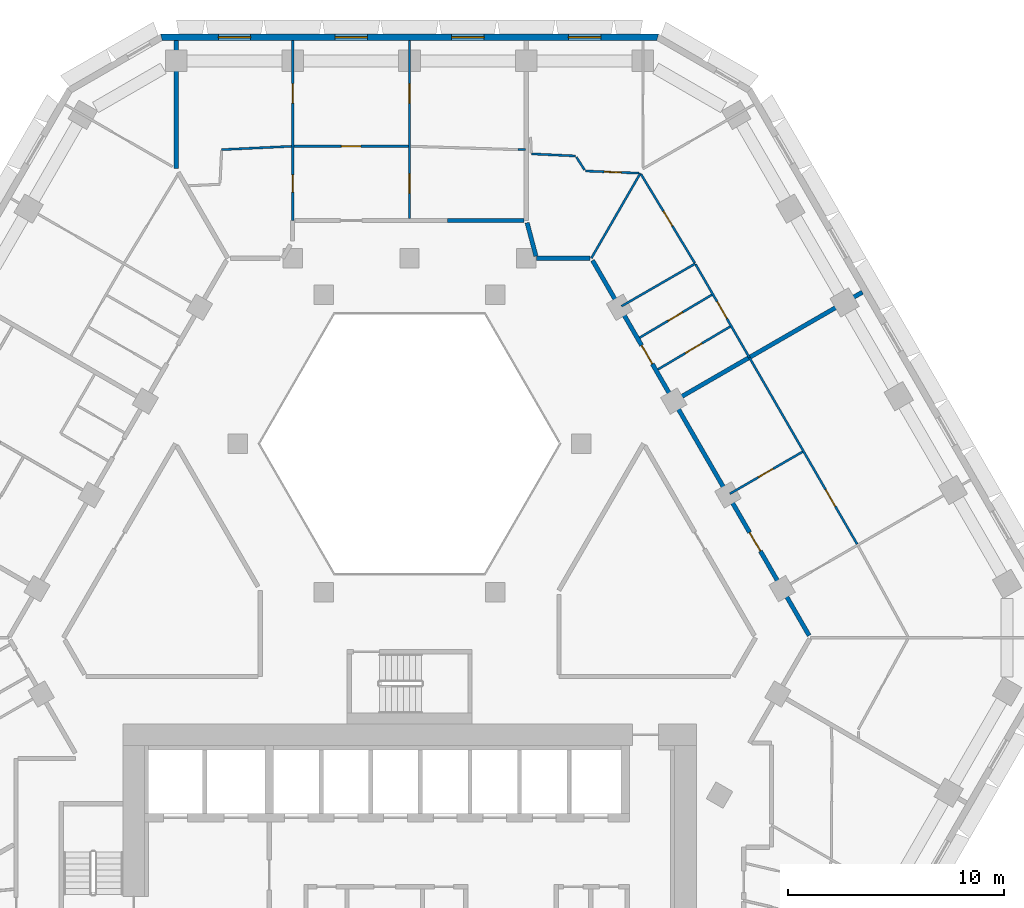
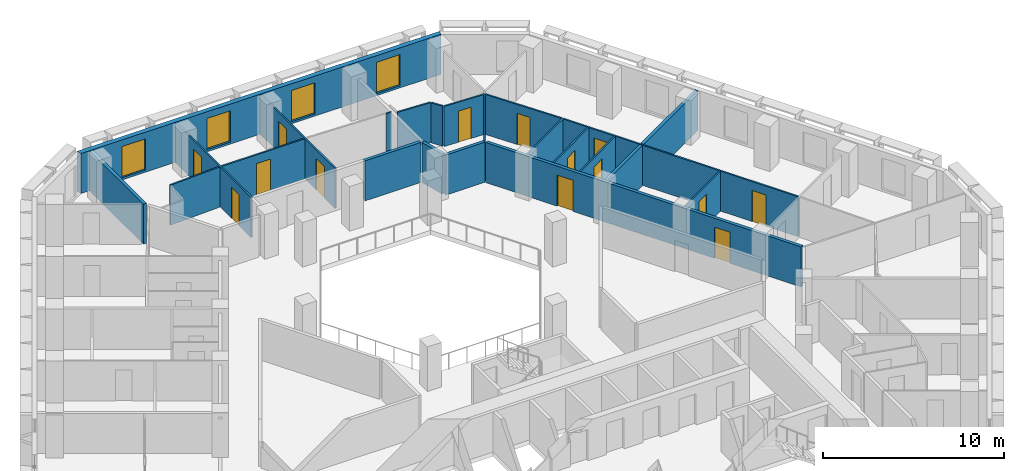
# One storey, part 9 of 16: 23 walls, 14 doors, 4 windows, 18 openings.
"""IFC4 building model written with IfcOpenShell, lengths in metres."""

from ifc_helpers import new_model, si_unit, direction, frame, frame_2d, origin, place, context, subcontext, project, spatial, polyline, rectangle, outline, extrude, material, layer, layer_set, type_object, element, fill, save


model = new_model("IFC4")

# Units and contexts
model_context = context("Model", 3, precision=1e-05, world=origin(), true_north=direction((0.0, 1.0)))
body_context = subcontext(model_context, "Body", "Model", "MODEL_VIEW")
ifc_project = project(units=[si_unit("LENGTHUNIT", "METRE"), si_unit("AREAUNIT", "SQUARE_METRE"), si_unit("VOLUMEUNIT", "CUBIC_METRE"), si_unit("PLANEANGLEUNIT", "RADIAN"), si_unit("MASSUNIT", "GRAM", prefix="KILO")], contexts=[model_context])

# Site, building, storey
site_placement = place(None, origin())
site = spatial("IfcSite", under=ifc_project, at=site_placement, CompositionType="ELEMENT")
building_placement = place(site_placement, origin())
building = spatial("IfcBuilding", under=site, at=building_placement, Name="Beryl Residences", CompositionType="ELEMENT")
storey_placement = place(building_placement, frame((0.0, 0.0, 96.0)))
storey = spatial("IfcBuildingStorey", under=building, at=storey_placement, Name="L29", CompositionType="ELEMENT", Elevation=96.0)

# Wall, openings, windows
ifc_material_1 = material(Name="Composite metal panel with mineral wool insulation")
ifc_layer_1 = layer(ifc_material_1, 0.300048828125)
ifc_layer_set_1 = layer_set([ifc_layer_1], Name="ES1 pale metal composite panel wall 300 mm")
wall_type_1 = type_object("IfcWallType", Name="ES1 pale metal composite panel wall 300 mm", PredefinedType="SOLIDWALL", material=ifc_layer_set_1)
wall_1_placement = place(storey_placement, frame((11.547119140625, 26.85009765625, 0.0), z_axis=(0.0, 0.0, 1.0), x_axis=(-1.0, 0.0, 0.0)))
wall_1 = element("IfcWall", 1, at=wall_1_placement, inside=storey, type_object=wall_type_1, Name="ES1 external wall L29 N", PredefinedType="SOLIDWALL", context=body_context, shape_type="SweptSolid", body=[
    extrude(outline(polyline([(0.0, -0.14990234375), (23.09423828125, -0.14990234375), (23.013916015625, 0.14990234375), (0.080322265625, 0.14990234375), (0.0, -0.14990234375)])), origin(), (0.0, 0.0, 1.0), 2.699951171875),
])
opening_1_placement = place(wall_1_placement, frame((2.677978515625, 0.0, 0.14990234375)))
opening_1 = element("IfcOpeningElement", 2, at=opening_1_placement, cuts=wall_1, Name="Opening W1", PredefinedType="OPENING", context=body_context, shape_type="SweptSolid", body=[
    extrude(rectangle(XDim=1.5, YDim=2.10009765625, at=frame_2d((0.75, 1.050048828125))), frame((0.0, 0.159912109375, 0.0), z_axis=(0.0, -1.0, 0.0), x_axis=(1.0, 0.0, 0.0)), (0.0, 0.0, 1.0), 0.320068359375),
])
opening_2_placement = place(wall_1_placement, frame((8.092041015625, 0.0, 0.14990234375)))
opening_2 = element("IfcOpeningElement", 3, at=opening_2_placement, cuts=wall_1, Name="Opening W1", PredefinedType="OPENING", context=body_context, shape_type="SweptSolid", body=[
    extrude(rectangle(XDim=1.5, YDim=2.10009765625, at=frame_2d((0.75, 1.050048828125))), frame((0.0, 0.159912109375, 0.0), z_axis=(0.0, -1.0, 0.0), x_axis=(1.0, 0.0, 0.0)), (0.0, 0.0, 1.0), 0.320068359375),
])
opening_3_placement = place(wall_1_placement, frame((13.50390625, 0.0, 0.14990234375)))
opening_3 = element("IfcOpeningElement", 4, at=opening_3_placement, cuts=wall_1, Name="Opening W1", PredefinedType="OPENING", context=body_context, shape_type="SweptSolid", body=[
    extrude(rectangle(XDim=1.5, YDim=2.10009765625, at=frame_2d((0.75, 1.050048828125))), frame((0.0, 0.159912109375, 0.0), z_axis=(0.0, -1.0, 0.0), x_axis=(1.0, 0.0, 0.0)), (0.0, 0.0, 1.0), 0.320068359375),
])
opening_4_placement = place(wall_1_placement, frame((18.9169921875, 0.0, 0.14990234375)))
opening_4 = element("IfcOpeningElement", 5, at=opening_4_placement, cuts=wall_1, Name="Opening W1", PredefinedType="OPENING", context=body_context, shape_type="SweptSolid", body=[
    extrude(rectangle(XDim=1.5, YDim=2.10009765625, at=frame_2d((0.75, 1.050048828125))), frame((0.0, 0.159912109375, 0.0), z_axis=(0.0, -1.0, 0.0), x_axis=(1.0, 0.0, 0.0)), (0.0, 0.0, 1.0), 0.320068359375),
])
ifc_material_2 = material(Name="Aluminium and clear glass", Category="aluminium")
window_type = type_object("IfcWindowType", Name="W1 cell window 1500 x 2100 mm", PartitioningType="SINGLE_PANEL", PredefinedType="WINDOW", material=ifc_material_2)
window_1_placement = place(opening_1_placement, origin())
window_1 = element("IfcWindow", 6, at=window_1_placement, inside=storey, type_object=window_type, Name="W1 window L29 N 2", OverallHeight=2.10009765625, OverallWidth=1.5, PartitioningType="SINGLE_PANEL", PredefinedType="WINDOW", context=body_context, shape_type="SweptSolid", body=[
    extrude(rectangle(XDim=1.5, YDim=2.10009765625, at=frame_2d((0.75, 1.050048828125))), frame((0.0, 0.030029296875, 0.0), z_axis=(0.0, -1.0, 0.0), x_axis=(1.0, 0.0, 0.0)), (0.0, 0.0, 1.0), 0.06005859375),
])
fill(opening_1, window_1)
window_2_placement = place(opening_2_placement, origin())
window_2 = element("IfcWindow", 7, at=window_2_placement, inside=storey, type_object=window_type, Name="W1 window L29 N 4", OverallHeight=2.10009765625, OverallWidth=1.5, PartitioningType="SINGLE_PANEL", PredefinedType="WINDOW", context=body_context, shape_type="SweptSolid", body=[
    extrude(rectangle(XDim=1.5, YDim=2.10009765625, at=frame_2d((0.75, 1.050048828125))), frame((0.0, 0.030029296875, 0.0), z_axis=(0.0, -1.0, 0.0), x_axis=(1.0, 0.0, 0.0)), (0.0, 0.0, 1.0), 0.06005859375),
])
fill(opening_2, window_2)
window_3_placement = place(opening_3_placement, origin())
window_3 = element("IfcWindow", 8, at=window_3_placement, inside=storey, type_object=window_type, Name="W1 window L29 N 6", OverallHeight=2.10009765625, OverallWidth=1.5, PartitioningType="SINGLE_PANEL", PredefinedType="WINDOW", context=body_context, shape_type="SweptSolid", body=[
    extrude(rectangle(XDim=1.5, YDim=2.10009765625, at=frame_2d((0.75, 1.050048828125))), frame((0.0, 0.030029296875, 0.0), z_axis=(0.0, -1.0, 0.0), x_axis=(1.0, 0.0, 0.0)), (0.0, 0.0, 1.0), 0.06005859375),
])
fill(opening_3, window_3)
window_4_placement = place(opening_4_placement, origin())
window_4 = element("IfcWindow", 9, at=window_4_placement, inside=storey, type_object=window_type, Name="W1 window L29 N 8", OverallHeight=2.10009765625, OverallWidth=1.5, PartitioningType="SINGLE_PANEL", PredefinedType="WINDOW", context=body_context, shape_type="SweptSolid", body=[
    extrude(rectangle(XDim=1.5, YDim=2.10009765625, at=frame_2d((0.75, 1.050048828125))), frame((0.0, 0.030029296875, 0.0), z_axis=(0.0, -1.0, 0.0), x_axis=(1.0, 0.0, 0.0)), (0.0, 0.0, 1.0), 0.06005859375),
])
fill(opening_4, window_4)

# Wall
ifc_material_3 = material(Name="Gypsum board partition on steel studs", Category="steel")
ifc_layer_2 = layer(ifc_material_3, 0.10009765625)
ifc_layer_set_2 = layer_set([ifc_layer_2], Name="PT1 partition 100 mm gypsum board on steel studs")
wall_type_2 = type_object("IfcWallType", Name="PT1 partition 100 mm gypsum board on steel studs", PredefinedType="PARTITIONING", material=ifc_layer_set_2)
wall_2_placement = place(storey_placement, frame((7.737060546875, 21.291015625, 0.0), z_axis=(0.0, 0.0, 1.0), x_axis=(0.540389876456, -0.841414749944, 0.0)))
element("IfcWall", 10, at=wall_2_placement, inside=storey, type_object=wall_type_2, Name="Wall PT1 L29 001", PredefinedType="PARTITIONING", context=body_context, shape_type="SweptSolid", body=[
    extrude(rectangle(XDim=0.704833984375, YDim=0.10009765625, at=frame_2d((0.3525390625, 0.0))), origin(), (0.0, 0.0, 1.0), 2.699951171875),
])

# Wall, opening, door
wall_3_placement = place(storey_placement, frame((10.738037109375, 20.491943359375, 0.0), z_axis=(0.0, 0.0, 1.0), x_axis=(0.518026330534, -0.85536467128, 0.0)))
wall_3 = element("IfcWall", 11, at=wall_3_placement, inside=storey, type_object=wall_type_2, Name="Wall PT1 L29 002", PredefinedType="PARTITIONING", context=body_context, shape_type="SweptSolid", body=[
    extrude(rectangle(XDim=4.814208984375, YDim=0.10009765625, at=frame_2d((2.4072265625, 0.0))), origin(), (0.0, 0.0, 1.0), 2.699951171875),
])
opening_5_placement = place(wall_3_placement, frame((2.001953125, 0.0, 0.0)))
opening_5 = element("IfcOpeningElement", 12, at=opening_5_placement, cuts=wall_3, Name="Opening D0928", PredefinedType="OPENING", context=body_context, shape_type="SweptSolid", body=[
    extrude(rectangle(XDim=0.800048828125, YDim=2.10009765625, at=frame_2d((0.39990234375, 1.050048828125))), frame((0.0, 0.06005859375, 0.0), z_axis=(0.0, -1.0, 0.0), x_axis=(1.0, 0.0, 0.0)), (0.0, 0.0, 1.0), 0.1201171875),
])
ifc_material_4 = material(Name="Timber door leaf", Category="wood")
door_type_1 = type_object("IfcDoorType", Name="D3 bathroom door 800 x 2100 mm", OperationType="SINGLE_SWING_LEFT", PredefinedType="DOOR", material=ifc_material_4)
door_1_placement = place(opening_5_placement, origin())
door_1 = element("IfcDoor", 13, at=door_1_placement, inside=storey, type_object=door_type_1, Name="Door D0928 L29 001", OperationType="SINGLE_SWING_RIGHT", OverallHeight=2.10009765625, OverallWidth=0.800048828125, PredefinedType="DOOR", context=body_context, shape_type="SweptSolid", body=[
    extrude(rectangle(XDim=0.800048828125, YDim=2.10009765625, at=frame_2d((0.39990234375, 1.050048828125))), frame((0.0, 0.02490234375, 0.0), z_axis=(0.0, -1.0, 0.0), x_axis=(1.0, 0.0, 0.0)), (0.0, 0.0, 1.0), 0.050048828125),
])
fill(opening_5, door_1)

wall_4_placement = place(storey_placement, frame((13.262939453125, 16.322021484375, 0.0), z_axis=(0.0, 0.0, 1.0), x_axis=(0.499946798379, -0.866056117576, 0.0)))
wall_4 = element("IfcWall", 14, at=wall_4_placement, inside=storey, type_object=wall_type_2, Name="Wall PT1 L29 003", PredefinedType="PARTITIONING", context=body_context, shape_type="SweptSolid", body=[
    extrude(rectangle(XDim=4.99267578125, YDim=0.10009765625, at=frame_2d((2.496337890625, 0.0))), origin(), (0.0, 0.0, 1.0), 2.699951171875),
])
opening_6_placement = place(wall_4_placement, frame((2.007080078125, 0.0, 0.0)))
opening_6 = element("IfcOpeningElement", 15, at=opening_6_placement, cuts=wall_4, Name="Opening D0926", PredefinedType="OPENING", context=body_context, shape_type="SweptSolid", body=[
    extrude(rectangle(XDim=0.89990234375, YDim=2.10009765625, at=frame_2d((0.449951171875, 1.050048828125))), frame((0.0, 0.06005859375, 0.0), z_axis=(0.0, -1.0, 0.0), x_axis=(1.0, 0.0, 0.0)), (0.0, 0.0, 1.0), 0.1201171875),
])
ifc_material_5 = material(Name="Timber door leaf", Category="wood")
door_type_2 = type_object("IfcDoorType", Name="D2 room door 900 x 2100 mm", OperationType="SINGLE_SWING_LEFT", PredefinedType="DOOR", material=ifc_material_5)
door_2_placement = place(opening_6_placement, origin())
door_2 = element("IfcDoor", 16, at=door_2_placement, inside=storey, type_object=door_type_2, Name="Door D0926 L29 001", OperationType="SINGLE_SWING_RIGHT", OverallHeight=2.10009765625, OverallWidth=0.89990234375, PredefinedType="DOOR", context=body_context, shape_type="SweptSolid", body=[
    extrude(rectangle(XDim=0.89990234375, YDim=2.10009765625, at=frame_2d((0.449951171875, 1.050048828125))), frame((0.0, 0.02490234375, 0.0), z_axis=(0.0, -1.0, 0.0), x_axis=(1.0, 0.0, 0.0)), (0.0, 0.0, 1.0), 0.050048828125),
])
fill(opening_6, door_2)

wall_5_placement = place(storey_placement, frame((8.15087890625, 20.64697265625, 0.0), z_axis=(0.0, 0.0, 1.0), x_axis=(0.999167241152, -0.040802257405, 0.0)))
wall_5 = element("IfcWall", 17, at=wall_5_placement, inside=storey, type_object=wall_type_2, Name="Wall PT1 L29 015", PredefinedType="PARTITIONING", context=body_context, shape_type="SweptSolid", body=[
    extrude(rectangle(XDim=2.501220703125, YDim=0.10009765625, at=frame_2d((1.25048828125, 0.0))), origin(), (0.0, 0.0, 1.0), 2.699951171875),
])
opening_7_placement = place(wall_5_placement, frame((0.87890625, 0.0, 0.0)))
opening_7 = element("IfcOpeningElement", 18, at=opening_7_placement, cuts=wall_5, Name="Opening D0930", PredefinedType="OPENING", context=body_context, shape_type="SweptSolid", body=[
    extrude(rectangle(XDim=0.800048828125, YDim=2.10009765625, at=frame_2d((0.39990234375, 1.050048828125))), frame((0.0, 0.06005859375, 0.0), z_axis=(0.0, -1.0, 0.0), x_axis=(1.0, 0.0, 0.0)), (0.0, 0.0, 1.0), 0.1201171875),
])
door_3_placement = place(opening_7_placement, origin())
door_3 = element("IfcDoor", 19, at=door_3_placement, inside=storey, type_object=door_type_1, Name="Door D0930 L29 001", OperationType="SINGLE_SWING_RIGHT", OverallHeight=2.10009765625, OverallWidth=0.800048828125, PredefinedType="DOOR", context=body_context, shape_type="SweptSolid", body=[
    extrude(rectangle(XDim=0.800048828125, YDim=2.10009765625, at=frame_2d((0.39990234375, 1.050048828125))), frame((0.0, 0.02490234375, 0.0), z_axis=(0.0, -1.0, 0.0), x_axis=(1.0, 0.0, 0.0)), (0.0, 0.0, 1.0), 0.050048828125),
])
fill(opening_7, door_3)

# Walls
wall_6_placement = place(storey_placement, frame((5.64892578125, 21.44091796875, 0.0), z_axis=(0.0, 0.0, 1.0), x_axis=(0.998867332207, -0.047582062273, 0.0)))
element("IfcWall", 20, at=wall_6_placement, inside=storey, type_object=wall_type_2, Name="Wall PT1 L29 016", PredefinedType="PARTITIONING", context=body_context, shape_type="SweptSolid", body=[
    extrude(rectangle(XDim=2.0576171875, YDim=0.10009765625, at=frame_2d((1.02880859375, 0.0))), origin(), (0.0, 0.0, 1.0), 2.699951171875),
])
wall_7_placement = place(storey_placement, frame((5.035888671875, 21.636962890625, 0.0), z_axis=(0.0, 0.0, 1.0), x_axis=(1.0, 0.0, 0.0)))
element("IfcWall", 21, at=wall_7_placement, inside=storey, type_object=wall_type_2, Name="Wall PT1 L29 030", PredefinedType="PARTITIONING", context=body_context, shape_type="SweptSolid", body=[
    extrude(rectangle(XDim=0.337158203125, YDim=0.10009765625, at=frame_2d((0.16845703125, 0.0))), origin(), (0.0, 0.0, 1.0), 2.699951171875),
])

# Wall, opening, door
wall_8_placement = place(storey_placement, frame((-5.364013671875, 21.7939453125, 0.0), z_axis=(0.0, 0.0, 1.0), x_axis=(1.0, 0.0, 0.0)))
wall_8 = element("IfcWall", 22, at=wall_8_placement, inside=storey, type_object=wall_type_2, Name="Wall PT1 L29 031", PredefinedType="PARTITIONING", context=body_context, shape_type="SweptSolid", body=[
    extrude(rectangle(XDim=5.31298828125, YDim=0.10009765625, at=frame_2d((2.656494140625, 0.0))), origin(), (0.0, 0.0, 1.0), 2.699951171875),
])
opening_8_placement = place(wall_8_placement, frame((2.20703125, 0.0, 0.0)))
opening_8 = element("IfcOpeningElement", 23, at=opening_8_placement, cuts=wall_8, Name="Opening D0932", PredefinedType="OPENING", context=body_context, shape_type="SweptSolid", body=[
    extrude(rectangle(XDim=0.89990234375, YDim=2.10009765625, at=frame_2d((0.449951171875, 1.050048828125))), frame((0.0, 0.06005859375, 0.0), z_axis=(0.0, -1.0, 0.0), x_axis=(1.0, 0.0, 0.0)), (0.0, 0.0, 1.0), 0.1201171875),
])
door_4_placement = place(opening_8_placement, origin())
door_4 = element("IfcDoor", 24, at=door_4_placement, inside=storey, type_object=door_type_2, Name="Door D0932 L29 001", OperationType="SINGLE_SWING_RIGHT", OverallHeight=2.10009765625, OverallWidth=0.89990234375, PredefinedType="DOOR", context=body_context, shape_type="SweptSolid", body=[
    extrude(rectangle(XDim=0.89990234375, YDim=2.10009765625, at=frame_2d((0.449951171875, 1.050048828125))), frame((0.0, 0.02490234375, 0.0), z_axis=(0.0, -1.0, 0.0), x_axis=(1.0, 0.0, 0.0)), (0.0, 0.0, 1.0), 0.050048828125),
])
fill(opening_8, door_4)

# Wall
wall_9_placement = place(storey_placement, frame((8.429931640625, 16.60009765625, 0.0), z_axis=(0.0, 0.0, 1.0), x_axis=(0.499951460778, 0.866053426104, 0.0)))
element("IfcWall", 25, at=wall_9_placement, inside=storey, type_object=wall_type_2, Name="Wall PT1 L29 035", PredefinedType="PARTITIONING", context=body_context, shape_type="SweptSolid", body=[
    extrude(rectangle(XDim=4.552734375, YDim=0.10009765625, at=frame_2d((2.2763671875, 0.0))), origin(), (0.0, 0.0, 1.0), 2.699951171875),
])

# Wall, openings, doors
wall_10_placement = place(storey_placement, frame((-0.0009765625, 18.449951171875, 0.0), z_axis=(0.0, 0.0, 1.0), x_axis=(0.0, 1.0, 0.0)))
wall_10 = element("IfcWall", 26, at=wall_10_placement, inside=storey, type_object=wall_type_2, Name="Wall PT1 L29 051", PredefinedType="PARTITIONING", context=body_context, shape_type="SweptSolid", body=[
    extrude(rectangle(XDim=8.25, YDim=0.10009765625, at=frame_2d((4.125, 0.0))), origin(), (0.0, 0.0, 1.0), 2.699951171875),
])
opening_9_placement = place(wall_10_placement, frame((1.172119140625, 0.0, 0.0)))
opening_9 = element("IfcOpeningElement", 27, at=opening_9_placement, cuts=wall_10, Name="Opening D0934", PredefinedType="OPENING", context=body_context, shape_type="SweptSolid", body=[
    extrude(rectangle(XDim=0.89990234375, YDim=2.10009765625, at=frame_2d((0.449951171875, 1.050048828125))), frame((0.0, 0.06005859375, 0.0), z_axis=(0.0, -1.0, 0.0), x_axis=(1.0, 0.0, 0.0)), (0.0, 0.0, 1.0), 0.1201171875),
])
opening_10_placement = place(wall_10_placement, frame((5.346923828125, 0.0, 0.0)))
opening_10 = element("IfcOpeningElement", 28, at=opening_10_placement, cuts=wall_10, Name="Opening D0935", PredefinedType="OPENING", context=body_context, shape_type="SweptSolid", body=[
    extrude(rectangle(XDim=0.89990234375, YDim=2.10009765625, at=frame_2d((0.449951171875, 1.050048828125))), frame((0.0, 0.06005859375, 0.0), z_axis=(0.0, -1.0, 0.0), x_axis=(1.0, 0.0, 0.0)), (0.0, 0.0, 1.0), 0.1201171875),
])
door_5_placement = place(opening_9_placement, origin())
door_5 = element("IfcDoor", 29, at=door_5_placement, inside=storey, type_object=door_type_2, Name="Door D0934 L29 001", OperationType="SINGLE_SWING_RIGHT", OverallHeight=2.10009765625, OverallWidth=0.89990234375, PredefinedType="DOOR", context=body_context, shape_type="SweptSolid", body=[
    extrude(rectangle(XDim=0.89990234375, YDim=2.10009765625, at=frame_2d((0.449951171875, 1.050048828125))), frame((0.0, 0.02490234375, 0.0), z_axis=(0.0, -1.0, 0.0), x_axis=(1.0, 0.0, 0.0)), (0.0, 0.0, 1.0), 0.050048828125),
])
fill(opening_9, door_5)
door_6_placement = place(opening_10_placement, origin())
door_6 = element("IfcDoor", 30, at=door_6_placement, inside=storey, type_object=door_type_2, Name="Door D0935 L29 001", OperationType="SINGLE_SWING_LEFT", OverallHeight=2.10009765625, OverallWidth=0.89990234375, PredefinedType="DOOR", context=body_context, shape_type="SweptSolid", body=[
    extrude(rectangle(XDim=0.89990234375, YDim=2.10009765625, at=frame_2d((0.449951171875, 1.050048828125))), frame((0.0, 0.02490234375, 0.0), z_axis=(0.0, -1.0, 0.0), x_axis=(1.0, 0.0, 0.0)), (0.0, 0.0, 1.0), 0.050048828125),
])
fill(opening_10, door_6)

wall_11_placement = place(storey_placement, frame((-5.4140625, 18.35009765625, 0.0), z_axis=(0.0, 0.0, 1.0), x_axis=(0.0, 1.0, 0.0)))
wall_11 = element("IfcWall", 31, at=wall_11_placement, inside=storey, type_object=wall_type_2, Name="Wall PT1 L29 052", PredefinedType="PARTITIONING", context=body_context, shape_type="SweptSolid", body=[
    extrude(rectangle(XDim=8.349853515625, YDim=0.10009765625, at=frame_2d((4.1748046875, 0.0))), origin(), (0.0, 0.0, 1.0), 2.699951171875),
])
opening_11_placement = place(wall_11_placement, frame((1.322021484375, 0.0, 0.0)))
opening_11 = element("IfcOpeningElement", 32, at=opening_11_placement, cuts=wall_11, Name="Opening D0933", PredefinedType="OPENING", context=body_context, shape_type="SweptSolid", body=[
    extrude(rectangle(XDim=0.800048828125, YDim=2.10009765625, at=frame_2d((0.39990234375, 1.050048828125))), frame((0.0, 0.06005859375, 0.0), z_axis=(0.0, -1.0, 0.0), x_axis=(1.0, 0.0, 0.0)), (0.0, 0.0, 1.0), 0.1201171875),
])
opening_12_placement = place(wall_11_placement, frame((5.447021484375, 0.0, 0.0)))
opening_12 = element("IfcOpeningElement", 33, at=opening_12_placement, cuts=wall_11, Name="Opening D0936", PredefinedType="OPENING", context=body_context, shape_type="SweptSolid", body=[
    extrude(rectangle(XDim=0.89990234375, YDim=2.10009765625, at=frame_2d((0.449951171875, 1.050048828125))), frame((0.0, 0.06005859375, 0.0), z_axis=(0.0, -1.0, 0.0), x_axis=(1.0, 0.0, 0.0)), (0.0, 0.0, 1.0), 0.1201171875),
])
door_7_placement = place(opening_12_placement, origin())
door_7 = element("IfcDoor", 34, at=door_7_placement, inside=storey, type_object=door_type_2, Name="Door D0936 L29 001", OperationType="SINGLE_SWING_RIGHT", OverallHeight=2.10009765625, OverallWidth=0.89990234375, PredefinedType="DOOR", context=body_context, shape_type="SweptSolid", body=[
    extrude(rectangle(XDim=0.89990234375, YDim=2.10009765625, at=frame_2d((0.449951171875, 1.050048828125))), frame((0.0, 0.02490234375, 0.0), z_axis=(0.0, -1.0, 0.0), x_axis=(1.0, 0.0, 0.0)), (0.0, 0.0, 1.0), 0.050048828125),
])
fill(opening_12, door_7)
door_8_placement = place(opening_11_placement, origin())
door_8 = element("IfcDoor", 35, at=door_8_placement, inside=storey, type_object=door_type_1, Name="Door D0933 L29 001", OperationType="SINGLE_SWING_LEFT", OverallHeight=2.10009765625, OverallWidth=0.800048828125, PredefinedType="DOOR", context=body_context, shape_type="SweptSolid", body=[
    extrude(rectangle(XDim=0.800048828125, YDim=2.10009765625, at=frame_2d((0.39990234375, 1.050048828125))), frame((0.0, 0.02490234375, 0.0), z_axis=(0.0, -1.0, 0.0), x_axis=(1.0, 0.0, 0.0)), (0.0, 0.0, 1.0), 0.050048828125),
])
fill(opening_11, door_8)

# Wall
wall_12_placement = place(storey_placement, frame((-8.714111328125, 21.636962890625, 0.0), z_axis=(0.0, 0.0, 1.0), x_axis=(0.998864229829, 0.047647144377, 0.0)))
element("IfcWall", 36, at=wall_12_placement, inside=storey, type_object=wall_type_2, Name="Wall PT1 L29 058", PredefinedType="PARTITIONING", context=body_context, shape_type="SweptSolid", body=[
    extrude(rectangle(XDim=3.253662109375, YDim=0.10009765625, at=frame_2d((1.626953125, 0.0))), origin(), (0.0, 0.0, 1.0), 2.699951171875),
])

# Wall, opening, door
wall_13_placement = place(storey_placement, frame((14.85302734375, 5.675048828125, 0.0), z_axis=(0.0, 0.0, 1.0), x_axis=(0.865979019114, 0.500080332001, 0.0)))
wall_13 = element("IfcWall", 37, at=wall_13_placement, inside=storey, type_object=wall_type_2, Name="Wall PT1 L29 061", PredefinedType="PARTITIONING", context=body_context, shape_type="SweptSolid", body=[
    extrude(rectangle(XDim=3.897216796875, YDim=0.10009765625, at=frame_2d((1.94873046875, 0.0))), origin(), (0.0, 0.0, 1.0), 2.699951171875),
])
opening_13_placement = place(wall_13_placement, frame((1.52392578125, 0.0, 0.0)))
opening_13 = element("IfcOpeningElement", 38, at=opening_13_placement, cuts=wall_13, Name="Opening D0918", PredefinedType="OPENING", context=body_context, shape_type="SweptSolid", body=[
    extrude(rectangle(XDim=0.800048828125, YDim=2.10009765625, at=frame_2d((0.39990234375, 1.050048828125))), frame((0.0, 0.06005859375, 0.0), z_axis=(0.0, -1.0, 0.0), x_axis=(1.0, 0.0, 0.0)), (0.0, 0.0, 1.0), 0.1201171875),
])
door_9_placement = place(opening_13_placement, origin())
door_9 = element("IfcDoor", 39, at=door_9_placement, inside=storey, type_object=door_type_1, Name="Door D0918 L29 001", OperationType="SINGLE_SWING_RIGHT", OverallHeight=2.10009765625, OverallWidth=0.800048828125, PredefinedType="DOOR", context=body_context, shape_type="SweptSolid", body=[
    extrude(rectangle(XDim=0.800048828125, YDim=2.10009765625, at=frame_2d((0.39990234375, 1.050048828125))), frame((0.0, 0.02490234375, 0.0), z_axis=(0.0, -1.0, 0.0), x_axis=(1.0, 0.0, 0.0)), (0.0, 0.0, 1.0), 0.050048828125),
])
fill(opening_13, door_9)

# Wall
wall_14_placement = place(storey_placement, frame((9.830078125, 14.375, 0.0), z_axis=(0.0, 0.0, 1.0), x_axis=(0.866076396086, 0.499911668341, 0.0)))
element("IfcWall", 40, at=wall_14_placement, inside=storey, type_object=wall_type_2, Name="Wall PT1 L29 064", PredefinedType="PARTITIONING", context=body_context, shape_type="SweptSolid", body=[
    extrude(rectangle(XDim=3.946533203125, YDim=0.10009765625, at=frame_2d((1.97314453125, 0.0))), origin(), (0.0, 0.0, 1.0), 2.699951171875),
])

# Wall, opening, door
wall_15_placement = place(storey_placement, frame((11.52197265625, 11.444091796875, 0.0), z_axis=(0.0, 0.0, 1.0), x_axis=(0.860134781641, 0.510066816615, 0.0)))
wall_15 = element("IfcWall", 41, at=wall_15_placement, inside=storey, type_object=wall_type_2, Name="Wall PT1 L29 067", PredefinedType="PARTITIONING", context=body_context, shape_type="SweptSolid", body=[
    extrude(rectangle(XDim=3.897216796875, YDim=0.10009765625, at=frame_2d((1.94873046875, 0.0))), origin(), (0.0, 0.0, 1.0), 2.699951171875),
])
opening_14_placement = place(wall_15_placement, frame((1.472900390625, 0.0, 0.0)))
opening_14 = element("IfcOpeningElement", 42, at=opening_14_placement, cuts=wall_15, Name="Opening D0925", PredefinedType="OPENING", context=body_context, shape_type="SweptSolid", body=[
    extrude(rectangle(XDim=0.89990234375, YDim=2.10009765625, at=frame_2d((0.449951171875, 1.050048828125))), frame((0.0, 0.06005859375, 0.0), z_axis=(0.0, -1.0, 0.0), x_axis=(1.0, 0.0, 0.0)), (0.0, 0.0, 1.0), 0.1201171875),
])
door_10_placement = place(opening_14_placement, origin())
door_10 = element("IfcDoor", 43, at=door_10_placement, inside=storey, type_object=door_type_2, Name="Door D0925 L29 001", OperationType="SINGLE_SWING_LEFT", OverallHeight=2.10009765625, OverallWidth=0.89990234375, PredefinedType="DOOR", context=body_context, shape_type="SweptSolid", body=[
    extrude(rectangle(XDim=0.89990234375, YDim=2.10009765625, at=frame_2d((0.449951171875, 1.050048828125))), frame((0.0, 0.02490234375, 0.0), z_axis=(0.0, -1.0, 0.0), x_axis=(1.0, 0.0, 0.0)), (0.0, 0.0, 1.0), 0.050048828125),
])
fill(opening_14, door_10)

wall_16_placement = place(storey_placement, frame((10.672119140625, 12.916015625, 0.0), z_axis=(0.0, 0.0, 1.0), x_axis=(0.859981037235, 0.510325989537, 0.0)))
wall_16 = element("IfcWall", 44, at=wall_16_placement, inside=storey, type_object=wall_type_2, Name="Wall PT1 L29 068", PredefinedType="PARTITIONING", context=body_context, shape_type="SweptSolid", body=[
    extrude(rectangle(XDim=3.8974609375, YDim=0.10009765625, at=frame_2d((1.94873046875, 0.0))), origin(), (0.0, 0.0, 1.0), 2.699951171875),
])
opening_15_placement = place(wall_16_placement, frame((1.52294921875, 0.0, 0.0)))
opening_15 = element("IfcOpeningElement", 45, at=opening_15_placement, cuts=wall_16, Name="Opening D0924", PredefinedType="OPENING", context=body_context, shape_type="SweptSolid", body=[
    extrude(rectangle(XDim=0.800048828125, YDim=2.10009765625, at=frame_2d((0.39990234375, 1.050048828125))), frame((0.0, 0.06005859375, 0.0), z_axis=(0.0, -1.0, 0.0), x_axis=(1.0, 0.0, 0.0)), (0.0, 0.0, 1.0), 0.1201171875),
])
door_11_placement = place(opening_15_placement, origin())
door_11 = element("IfcDoor", 46, at=door_11_placement, inside=storey, type_object=door_type_1, Name="Door D0924 L29 001", OperationType="SINGLE_SWING_RIGHT", OverallHeight=2.10009765625, OverallWidth=0.800048828125, PredefinedType="DOOR", context=body_context, shape_type="SweptSolid", body=[
    extrude(rectangle(XDim=0.800048828125, YDim=2.10009765625, at=frame_2d((0.39990234375, 1.050048828125))), frame((0.0, 0.02490234375, 0.0), z_axis=(0.0, -1.0, 0.0), x_axis=(1.0, 0.0, 0.0)), (0.0, 0.0, 1.0), 0.050048828125),
])
fill(opening_15, door_11)

wall_17_placement = place(storey_placement, frame((15.759033203125, 11.998046875, 0.0), z_axis=(0.0, 0.0, 1.0), x_axis=(0.500068444113, -0.865985883951, 0.0)))
wall_17 = element("IfcWall", 47, at=wall_17_placement, inside=storey, type_object=wall_type_2, Name="Wall PT1 L29 069", PredefinedType="PARTITIONING", context=body_context, shape_type="SweptSolid", body=[
    extrude(rectangle(XDim=9.99658203125, YDim=0.10009765625, at=frame_2d((4.998291015625, 0.0))), origin(), (0.0, 0.0, 1.0), 2.699951171875),
])
opening_16_placement = place(wall_17_placement, frame((7.073974609375, 0.0, 0.0)))
opening_16 = element("IfcOpeningElement", 48, at=opening_16_placement, cuts=wall_17, Name="Opening D0917", PredefinedType="OPENING", context=body_context, shape_type="SweptSolid", body=[
    extrude(rectangle(XDim=0.89990234375, YDim=2.10009765625, at=frame_2d((0.449951171875, 1.050048828125))), frame((0.0, 0.06005859375, 0.0), z_axis=(0.0, -1.0, 0.0), x_axis=(1.0, 0.0, 0.0)), (0.0, 0.0, 1.0), 0.1201171875),
])
door_12_placement = place(opening_16_placement, origin())
door_12 = element("IfcDoor", 49, at=door_12_placement, inside=storey, type_object=door_type_2, Name="Door D0917 L29 001", OperationType="SINGLE_SWING_LEFT", OverallHeight=2.10009765625, OverallWidth=0.89990234375, PredefinedType="DOOR", context=body_context, shape_type="SweptSolid", body=[
    extrude(rectangle(XDim=0.89990234375, YDim=2.10009765625, at=frame_2d((0.449951171875, 1.050048828125))), frame((0.0, 0.02490234375, 0.0), z_axis=(0.0, -1.0, 0.0), x_axis=(1.0, 0.0, 0.0)), (0.0, 0.0, 1.0), 0.050048828125),
])
fill(opening_16, door_12)

# Walls
ifc_material_6 = material(Name="Acoustic double stud gypsum board wall")
ifc_layer_3 = layer(ifc_material_6, 0.199951171875)
ifc_layer_set_3 = layer_set([ifc_layer_3], Name="PT3 party wall 200 mm acoustic double stud")
wall_type_3 = type_object("IfcWallType", Name="PT3 party wall 200 mm acoustic double stud", PredefinedType="PARTITIONING", material=ifc_layer_set_3)
wall_18_placement = place(storey_placement, frame((-10.826904296875, 20.7529296875, 0.0), z_axis=(0.0, 0.0, 1.0), x_axis=(0.0, 1.0, 0.0)))
element("IfcWall", 50, at=wall_18_placement, inside=storey, type_object=wall_type_3, Name="Wall PT3 L29 008", PredefinedType="PARTITIONING", context=body_context, shape_type="SweptSolid", body=[
    extrude(rectangle(XDim=5.947021484375, YDim=0.199951171875, at=frame_2d((2.9736328125, 0.0))), origin(), (0.0, 0.0, 1.0), 2.699951171875),
])
wall_19_placement = place(storey_placement, frame((12.342041015625, 10.02490234375, 0.0), z_axis=(0.0, 0.0, 1.0), x_axis=(0.865992435864, 0.500057097767, 0.0)))
element("IfcWall", 51, at=wall_19_placement, inside=storey, type_object=wall_type_3, Name="Wall PT3 L29 011", PredefinedType="PARTITIONING", context=body_context, shape_type="SweptSolid", body=[
    extrude(rectangle(XDim=9.998779296875, YDim=0.199951171875, at=frame_2d((4.99951171875, 0.0))), origin(), (0.0, 0.0, 1.0), 2.699951171875),
])
ifc_material_7 = material(Name="Double stud gypsum board wall")
ifc_layer_4 = layer(ifc_material_7, 0.199951171875)
ifc_layer_set_4 = layer_set([ifc_layer_4], Name="PT4 corridor wall 200 mm double stud")
wall_type_4 = type_object("IfcWallType", Name="PT4 corridor wall 200 mm double stud", PredefinedType="PARTITIONING", material=ifc_layer_set_4)
wall_20_placement = place(storey_placement, frame((5.452880859375, 18.2490234375, 0.0), z_axis=(0.0, 0.0, 1.0), x_axis=(0.255385747764, -0.966839241983, 0.0)))
element("IfcWall", 52, at=wall_20_placement, inside=storey, type_object=wall_type_4, Name="Wall PT4 L29 004", PredefinedType="PARTITIONING", context=body_context, shape_type="SweptSolid", body=[
    extrude(rectangle(XDim=1.602294921875, YDim=0.199951171875, at=frame_2d((0.80126953125, 0.0))), origin(), (0.0, 0.0, 1.0), 2.699951171875),
])

# Wall, openings, doors
wall_21_placement = place(storey_placement, frame((8.488037109375, 16.5, 0.0), z_axis=(0.0, 0.0, 1.0), x_axis=(0.499986836607, -0.86603300354, 0.0)))
wall_21 = element("IfcWall", 53, at=wall_21_placement, inside=storey, type_object=wall_type_4, Name="Wall PT4 L29 006", PredefinedType="PARTITIONING", context=body_context, shape_type="SweptSolid", body=[
    extrude(rectangle(XDim=20.09033203125, YDim=0.199951171875, at=frame_2d((10.045166015625, 0.0))), origin(), (0.0, 0.0, 1.0), 2.699951171875),
])
opening_17_placement = place(wall_21_placement, frame((14.569091796875, 0.0, 0.0)))
opening_17 = element("IfcOpeningElement", 54, at=opening_17_placement, cuts=wall_21, Name="Opening D0916", PredefinedType="OPENING", context=body_context, shape_type="SweptSolid", body=[
    extrude(rectangle(XDim=1.0, YDim=2.10009765625, at=frame_2d((0.5, 1.050048828125))), frame((0.0, 0.10986328125, 0.0), z_axis=(0.0, -1.0, 0.0), x_axis=(1.0, 0.0, 0.0)), (0.0, 0.0, 1.0), 0.219970703125),
])
opening_18_placement = place(wall_21_placement, frame((4.547119140625, 0.0, 0.0)))
opening_18 = element("IfcOpeningElement", 55, at=opening_18_placement, cuts=wall_21, Name="Opening D0923", PredefinedType="OPENING", context=body_context, shape_type="SweptSolid", body=[
    extrude(rectangle(XDim=1.0, YDim=2.10009765625, at=frame_2d((0.5, 1.050048828125))), frame((0.0, 0.10986328125, 0.0), z_axis=(0.0, -1.0, 0.0), x_axis=(1.0, 0.0, 0.0)), (0.0, 0.0, 1.0), 0.219970703125),
])
ifc_material_8 = material(Name="Timber door leaf", Category="wood")
door_type_3 = type_object("IfcDoorType", Name="D1 flat entrance door 1000 x 2100 mm", OperationType="SINGLE_SWING_LEFT", PredefinedType="DOOR", material=ifc_material_8)
door_13_placement = place(opening_17_placement, origin())
door_13 = element("IfcDoor", 56, at=door_13_placement, inside=storey, type_object=door_type_3, Name="Door D0916 L29 001", OperationType="SINGLE_SWING_RIGHT", OverallHeight=2.10009765625, OverallWidth=1.0, PredefinedType="DOOR", context=body_context, shape_type="SweptSolid", body=[
    extrude(rectangle(XDim=1.0, YDim=2.10009765625, at=frame_2d((0.5, 1.050048828125))), frame((0.0, 0.02490234375, 0.0), z_axis=(0.0, -1.0, 0.0), x_axis=(1.0, 0.0, 0.0)), (0.0, 0.0, 1.0), 0.050048828125),
])
fill(opening_17, door_13)
door_14_placement = place(opening_18_placement, origin())
door_14 = element("IfcDoor", 57, at=door_14_placement, inside=storey, type_object=door_type_3, Name="Door D0923 L29 001", OperationType="SINGLE_SWING_LEFT", OverallHeight=2.10009765625, OverallWidth=1.0, PredefinedType="DOOR", context=body_context, shape_type="SweptSolid", body=[
    extrude(rectangle(XDim=1.0, YDim=2.10009765625, at=frame_2d((0.5, 1.050048828125))), frame((0.0, 0.02490234375, 0.0), z_axis=(0.0, -1.0, 0.0), x_axis=(1.0, 0.0, 0.0)), (0.0, 0.0, 1.0), 0.050048828125),
])
fill(opening_18, door_14)

# Walls
wall_22_placement = place(storey_placement, frame((5.888916015625, 16.60009765625, 0.0), z_axis=(0.0, 0.0, 1.0), x_axis=(1.0, 0.0, 0.0)))
element("IfcWall", 58, at=wall_22_placement, inside=storey, type_object=wall_type_4, Name="Wall PT4 L29 020", PredefinedType="PARTITIONING", context=body_context, shape_type="SweptSolid", body=[
    extrude(rectangle(XDim=2.483154296875, YDim=0.199951171875, at=frame_2d((1.24169921875, 0.0))), origin(), (0.0, 0.0, 1.0), 2.699951171875),
])
wall_23_placement = place(storey_placement, frame((1.75, 18.34912109375, 0.0), z_axis=(0.0, 0.0, 1.0), x_axis=(1.0, 0.0, 0.0)))
element("IfcWall", 59, at=wall_23_placement, inside=storey, type_object=wall_type_4, Name="Wall PT4 L29 021", PredefinedType="PARTITIONING", context=body_context, shape_type="SweptSolid", body=[
    extrude(rectangle(XDim=3.56201171875, YDim=0.199951171875, at=frame_2d((1.781005859375, 0.0))), origin(), (0.0, 0.0, 1.0), 2.699951171875),
])

save(model, "model.ifc")
